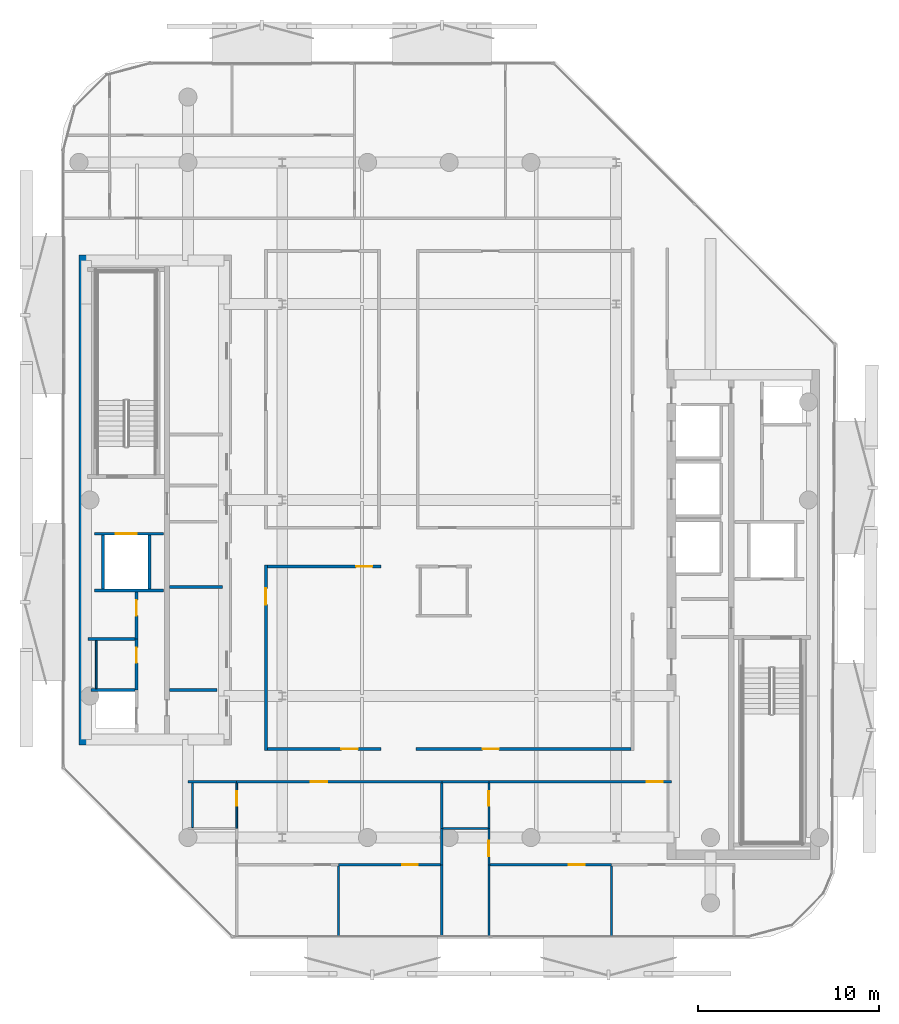
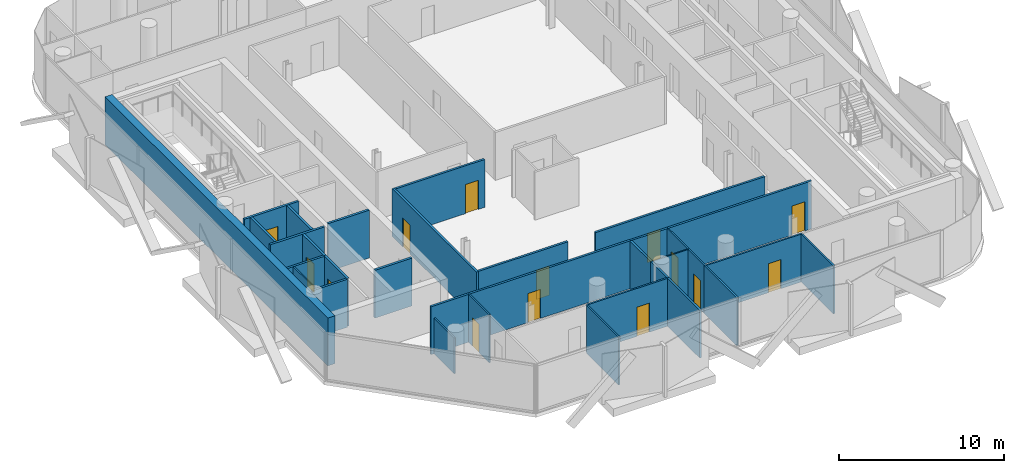
# One storey, part 4 of 16: 33 walls, 14 doors, 14 openings.
"""IFC4 building model written with IfcOpenShell, lengths in metres."""

from ifc_helpers import new_model, si_unit, direction, frame, frame_2d, origin, place, context, subcontext, project, spatial, rectangle, extrude, material, layer, layer_set, type_object, element, fill, save


model = new_model("IFC4")

# Units and contexts
model_context = context("Model", 3, precision=1e-05, world=origin(), true_north=direction((0.0, 1.0)))
body_context = subcontext(model_context, "Body", "Model", "MODEL_VIEW")
ifc_project = project(units=[si_unit("LENGTHUNIT", "METRE"), si_unit("AREAUNIT", "SQUARE_METRE"), si_unit("VOLUMEUNIT", "CUBIC_METRE"), si_unit("PLANEANGLEUNIT", "RADIAN"), si_unit("MASSUNIT", "GRAM", prefix="KILO")], contexts=[model_context])

# Site, building, storey
site_placement = place(None, origin())
site = spatial("IfcSite", under=ifc_project, at=site_placement, CompositionType="ELEMENT")
building_placement = place(site_placement, origin())
building = spatial("IfcBuilding", under=site, at=building_placement, Name="Khairoan Windgate Tower", CompositionType="ELEMENT")
storey_placement = place(building_placement, frame((0.0, 0.0, 311.800048828125)))
storey = spatial("IfcBuildingStorey", under=building, at=storey_placement, Name="L75", CompositionType="ELEMENT", Elevation=311.800048828125)

# Wall, opening, door
ifc_material_1 = material(Name="Moisture-Resistant Gypsum Partition", Category="gypsum")
ifc_layer_1 = layer(ifc_material_1, 0.10009765625, Name="Moisture-Resistant Gypsum Partition")
ifc_layer_set_1 = layer_set([ifc_layer_1], Name="Moisture-Resistant Gypsum Partition")
wall_type_1 = type_object("IfcWallType", Name="Bathroom Wet-Area Partition Wall", PredefinedType="PARTITIONING", material=ifc_layer_set_1)
wall_1_placement = place(storey_placement, frame((-11.7099609375, -18.10009765625, 0.0), z_axis=(0.0, 0.0, 1.0), x_axis=(0.0, 1.0, 0.0)))
wall_1 = element("IfcWall", 1, at=wall_1_placement, inside=storey, type_object=wall_type_1, Name="L75 Interior Partition 045", PredefinedType="PARTITIONING", context=body_context, shape_type="SweptSolid", body=[
    extrude(rectangle(XDim=2.5, YDim=0.10009765625, at=frame_2d((1.25, 0.0))), origin(), (0.0, 0.0, 1.0), 3.5400390625),
])
opening_1_placement = place(wall_1_placement, frame((1.239990234375, 0.0, 0.0)))
opening_1 = element("IfcOpeningElement", 2, at=opening_1_placement, cuts=wall_1, Name="Opening ID-BTH", PredefinedType="OPENING", context=body_context, shape_type="SweptSolid", body=[
    extrude(rectangle(XDim=0.800048828125, YDim=2.10009765625, at=frame_2d((0.39990234375, 1.050048828125))), frame((0.0, 0.06005859375, 0.0), z_axis=(0.0, -1.0, 0.0), x_axis=(1.0, 0.0, 0.0)), (0.0, 0.0, 1.0), 0.1201171875),
])
ifc_material_2 = material(Name="Teak Veneer Timber Leaf", Category="wood")
door_type_1 = type_object("IfcDoorType", Name="Internal Bathroom Door ID-BTH 800x2100", OperationType="NOTDEFINED", PredefinedType="DOOR", material=ifc_material_2)
door_1_placement = place(opening_1_placement, origin())
door_1 = element("IfcDoor", 3, at=door_1_placement, inside=storey, type_object=door_type_1, Name="L75 L75-39-L75-41 Door", OperationType="SINGLE_SWING_RIGHT", OverallHeight=2.10009765625, OverallWidth=0.800048828125, PredefinedType="DOOR", context=body_context, shape_type="SweptSolid", body=[
    extrude(rectangle(XDim=0.800048828125, YDim=2.10009765625, at=frame_2d((0.39990234375, 1.050048828125))), frame((0.0, 0.02490234375, 0.0), z_axis=(0.0, -1.0, 0.0), x_axis=(1.0, 0.0, 0.0)), (0.0, 0.0, 1.0), 0.050048828125),
])
fill(opening_1, door_1)

# Wall
wall_2_placement = place(storey_placement, frame((-0.330078125, -18.10009765625, 0.0), z_axis=(0.0, 0.0, 1.0), x_axis=(1.0, 0.0, 0.0)))
element("IfcWall", 4, at=wall_2_placement, inside=storey, type_object=wall_type_1, Name="L75 Interior Partition 054", PredefinedType="PARTITIONING", context=body_context, shape_type="SweptSolid", body=[
    extrude(rectangle(XDim=2.469970703125, YDim=0.10009765625, at=frame_2d((1.23486328125, 0.0))), origin(), (0.0, 0.0, 1.0), 3.5400390625),
])

# Wall, opening, door
wall_3_placement = place(storey_placement, frame((2.18994140625, -18.10009765625, 0.0), z_axis=(0.0, 0.0, 1.0), x_axis=(0.0, 1.0, 0.0)))
wall_3 = element("IfcWall", 5, at=wall_3_placement, inside=storey, type_object=wall_type_1, Name="L75 Interior Partition 055", PredefinedType="PARTITIONING", context=body_context, shape_type="SweptSolid", body=[
    extrude(rectangle(XDim=2.5, YDim=0.10009765625, at=frame_2d((1.25, 0.0))), origin(), (0.0, 0.0, 1.0), 3.5400390625),
])
opening_2_placement = place(wall_3_placement, frame((1.239990234375, 0.0, 0.0)))
opening_2 = element("IfcOpeningElement", 6, at=opening_2_placement, cuts=wall_3, Name="Opening ID-BTH", PredefinedType="OPENING", context=body_context, shape_type="SweptSolid", body=[
    extrude(rectangle(XDim=0.800048828125, YDim=2.10009765625, at=frame_2d((0.39990234375, 1.050048828125))), frame((0.0, 0.06005859375, 0.0), z_axis=(0.0, -1.0, 0.0), x_axis=(1.0, 0.0, 0.0)), (0.0, 0.0, 1.0), 0.1201171875),
])
door_2_placement = place(opening_2_placement, origin())
door_2 = element("IfcDoor", 7, at=door_2_placement, inside=storey, type_object=door_type_1, Name="L75 L75-44-L75-46 Door", OperationType="SINGLE_SWING_RIGHT", OverallHeight=2.10009765625, OverallWidth=0.800048828125, PredefinedType="DOOR", context=body_context, shape_type="SweptSolid", body=[
    extrude(rectangle(XDim=0.800048828125, YDim=2.10009765625, at=frame_2d((0.39990234375, 1.050048828125))), frame((0.0, 0.02490234375, 0.0), z_axis=(0.0, -1.0, 0.0), x_axis=(1.0, 0.0, 0.0)), (0.0, 0.0, 1.0), 0.050048828125),
])
fill(opening_2, door_2)

# Walls
wall_4_placement = place(storey_placement, frame((-19.449951171875, -10.389892578125, 0.0), z_axis=(0.0, 0.0, 1.0), x_axis=(0.0, 1.0, 0.0)))
element("IfcWall", 8, at=wall_4_placement, inside=storey, type_object=wall_type_1, Name="L75 Wet Room Side Wall 063", PredefinedType="PARTITIONING", context=body_context, shape_type="SweptSolid", body=[
    extrude(rectangle(XDim=2.639892578125, YDim=0.10009765625, at=frame_2d((1.31982421875, 0.0))), origin(), (0.0, 0.0, 1.0), 3.5400390625),
])
wall_5_placement = place(storey_placement, frame((-14.139892578125, -18.050048828125, 0.0), z_axis=(0.0, 0.0, 1.0), x_axis=(0.0, 1.0, 0.0)))
element("IfcWall", 9, at=wall_5_placement, inside=storey, type_object=wall_type_1, Name="L75 Wet Room Side Wall 064", PredefinedType="PARTITIONING", context=body_context, shape_type="SweptSolid", body=[
    extrude(rectangle(XDim=2.449951171875, YDim=0.10009765625, at=frame_2d((1.22509765625, 0.0))), origin(), (0.0, 0.0, 1.0), 2.639892578125),
])

# Wall, opening, door
ifc_material_3 = material(Name="Concrete C40/50", Category="concrete")
ifc_layer_2 = layer(ifc_material_3, 0.159912109375, Name="Concrete C40/50")
ifc_layer_set_2 = layer_set([ifc_layer_2], Name="Concrete C40/50")
wall_type_2 = type_object("IfcWallType", Name="Core and Hoistway Enclosure Wall", PredefinedType="STANDARD", material=ifc_layer_set_2)
wall_6_placement = place(storey_placement, frame((-19.550048828125, -1.860107421875, 0.0), z_axis=(0.0, 0.0, 1.0), x_axis=(1.0, 0.0, 0.0)))
wall_6 = element("IfcWall", 10, at=wall_6_placement, inside=storey, type_object=wall_type_2, Name="L75 Core Shaft Wall SW-FL2-L75", PredefinedType="STANDARD", context=body_context, shape_type="SweptSolid", body=[
    extrude(rectangle(XDim=3.800048828125, YDim=0.159912109375, at=frame_2d((1.89990234375, 0.0))), origin(), (0.0, 0.0, 1.0), 3.5400390625),
])
opening_3_placement = place(wall_6_placement, frame((1.179931640625, 0.0, 0.0)))
opening_3 = element("IfcOpeningElement", 11, at=opening_3_placement, cuts=wall_6, Name="Opening LD-FL", PredefinedType="OPENING", context=body_context, shape_type="SweptSolid", body=[
    extrude(rectangle(XDim=1.14990234375, YDim=2.199951171875, at=frame_2d((0.574951171875, 1.10009765625))), frame((0.0, 0.08984375, 0.0), z_axis=(0.0, -1.0, 0.0), x_axis=(1.0, 0.0, 0.0)), (0.0, 0.0, 1.0), 0.179931640625),
])
ifc_material_4 = material(Name="Steel S355", Category="steel")
door_type_2 = type_object("IfcDoorType", Name="Firefighting Lift Sliding Landing Door LD-FL 1150x2200", OperationType="DOUBLE_DOOR_SLIDING", PredefinedType="DOOR", material=ifc_material_4)
door_3_placement = place(opening_3_placement, origin())
door_3 = element("IfcDoor", 12, at=door_3_placement, inside=storey, type_object=door_type_2, Name="L75 Firefighting Lift FL2 Landing Door", OperationType="DOUBLE_DOOR_SLIDING", OverallHeight=2.199951171875, OverallWidth=1.14990234375, PredefinedType="DOOR", context=body_context, shape_type="SweptSolid", body=[
    extrude(rectangle(XDim=1.14990234375, YDim=2.199951171875, at=frame_2d((0.574951171875, 1.10009765625))), frame((0.0, 0.02490234375, 0.0), z_axis=(0.0, -1.0, 0.0), x_axis=(1.0, 0.0, 0.0)), (0.0, 0.0, 1.0), 0.050048828125),
])
fill(opening_3, door_3)

# Walls
wall_7_placement = place(storey_placement, frame((-19.550048828125, -4.97998046875, 0.0), z_axis=(0.0, 0.0, 1.0), x_axis=(1.0, 0.0, 0.0)))
element("IfcWall", 13, at=wall_7_placement, inside=storey, type_object=wall_type_2, Name="L75 Core Shaft Wall SW-FL2B-L75", PredefinedType="STANDARD", context=body_context, shape_type="SweptSolid", body=[
    extrude(rectangle(XDim=3.800048828125, YDim=0.159912109375, at=frame_2d((1.89990234375, 0.0))), origin(), (0.0, 0.0, 1.0), 3.5400390625),
])
for number, where, z_axis, x_axis, name in (
    (14, (-19.080078125, -4.89990234375, 0.0), (0.0, 0.0, 1.0), (0.0, 1.0, 0.0), "L75 Core Shaft Wall SW-FL2W-L75"),
    (15, (-16.52001953125, -4.89990234375, 0.0), (0.0, 0.0, 1.0), (0.0, 1.0, 0.0), "L75 Core Shaft Wall SW-FL2E-L75"),
):
    element("IfcWall", number, at=place(storey_placement, frame(where, z_axis=z_axis, x_axis=x_axis)), inside=storey, type_object=wall_type_2, Name=name, PredefinedType="STANDARD", context=body_context, shape_type="SweptSolid", body=[
        extrude(rectangle(XDim=2.9599609375, YDim=0.159912109375, at=frame_2d((1.47998046875, 0.0))), origin(), (0.0, 0.0, 1.0), 3.5400390625),
    ])
wall_8_placement = place(storey_placement, frame((-15.39990234375, -10.47998046875, 0.0), z_axis=(0.0, 0.0, 1.0), x_axis=(1.0, 0.0, 0.0)))
element("IfcWall", 16, at=wall_8_placement, inside=storey, type_object=wall_type_2, Name="L75 Core Shaft Wall SW-WSV-L75", PredefinedType="STANDARD", context=body_context, shape_type="SweptSolid", body=[
    extrude(rectangle(XDim=2.599853515625, YDim=0.159912109375, at=frame_2d((1.2998046875, 0.0))), origin(), (0.0, 0.0, 1.0), 3.5400390625),
])
ifc_material_5 = material(Name="Acoustic Fire-Rated Gypsum Partition", Category="gypsum")
ifc_layer_3 = layer(ifc_material_5, 0.139892578125, Name="Acoustic Fire-Rated Gypsum Partition")
ifc_layer_set_3 = layer_set([ifc_layer_3], Name="Acoustic Fire-Rated Gypsum Partition")
wall_type_3 = type_object("IfcWallType", Name="Inter-Tenancy Compartment Wall", PredefinedType="PARTITIONING", material=ifc_layer_set_3)
wall_9_placement = place(storey_placement, frame((-0.39990234375, -18.10009765625, 0.0), z_axis=(0.0, 0.0, 1.0), x_axis=(0.0, 1.0, 0.0)))
element("IfcWall", 17, at=wall_9_placement, inside=storey, type_object=wall_type_3, Name="L75 Interior Partition 050", PredefinedType="PARTITIONING", context=body_context, shape_type="SweptSolid", body=[
    extrude(rectangle(XDim=2.5, YDim=0.139892578125, at=frame_2d((1.25, 0.0))), origin(), (0.0, 0.0, 1.0), 3.5400390625),
])
wall_10_placement = place(storey_placement, frame((-0.39990234375, -20.10009765625, 0.0), z_axis=(0.0, 0.0, 1.0), x_axis=(0.0, 1.0, 0.0)))
element("IfcWall", 18, at=wall_10_placement, inside=storey, type_object=wall_type_3, Name="L75 Interior Partition 051", PredefinedType="PARTITIONING", context=body_context, shape_type="SweptSolid", body=[
    extrude(rectangle(XDim=2.0, YDim=0.139892578125, at=frame_2d((1.0, 0.0))), origin(), (0.0, 0.0, 1.0), 3.5400390625),
])
wall_11_placement = place(storey_placement, frame((-0.39990234375, -24.054931640625, 0.0), z_axis=(0.0, 0.0, 1.0), x_axis=(0.0, 1.0, 0.0)))
element("IfcWall", 19, at=wall_11_placement, inside=storey, type_object=wall_type_3, Name="L75 Interior Partition 053", PredefinedType="PARTITIONING", context=body_context, shape_type="SweptSolid", body=[
    extrude(rectangle(XDim=3.954833984375, YDim=0.139892578125, at=frame_2d((1.9775390625, 0.0))), origin(), (0.0, 0.0, 1.0), 3.5400390625),
])

# Wall, opening, door
ifc_material_6 = material(Name="Gypsum Stud Partition", Category="gypsum")
ifc_layer_4 = layer(ifc_material_6, 0.1201171875, Name="Gypsum Stud Partition")
ifc_layer_set_4 = layer_set([ifc_layer_4], Name="Gypsum Stud Partition")
wall_type_4 = type_object("IfcWallType", Name="Internal Room Partition Wall", PredefinedType="PARTITIONING", material=ifc_layer_set_4)
wall_12_placement = place(storey_placement, frame((-6.094970703125, -20.10009765625, 0.0), z_axis=(0.0, 0.0, 1.0), x_axis=(1.0, 0.0, 0.0)))
wall_12 = element("IfcWall", 20, at=wall_12_placement, inside=storey, type_object=wall_type_4, Name="L75 Interior Partition 049", PredefinedType="PARTITIONING", context=body_context, shape_type="SweptSolid", body=[
    extrude(rectangle(XDim=5.625, YDim=0.1201171875, at=frame_2d((2.8125, 0.0))), origin(), (0.0, 0.0, 1.0), 3.5400390625),
])
opening_4_placement = place(wall_12_placement, frame((3.49560546875, 0.0, 0.0)))
opening_4 = element("IfcOpeningElement", 21, at=opening_4_placement, cuts=wall_12, Name="Opening ID-RM", PredefinedType="OPENING", context=body_context, shape_type="SweptSolid", body=[
    extrude(rectangle(XDim=0.860107421875, YDim=2.14990234375, at=frame_2d((0.43017578125, 1.074951171875))), frame((0.0, 0.070068359375, 0.0), z_axis=(0.0, -1.0, 0.0), x_axis=(1.0, 0.0, 0.0)), (0.0, 0.0, 1.0), 0.14013671875),
])
ifc_material_7 = material(Name="Teak Veneer Timber Leaf", Category="wood")
door_type_3 = type_object("IfcDoorType", Name="Internal Bedroom and Office Door ID-RM 860x2150", OperationType="NOTDEFINED", PredefinedType="DOOR", material=ifc_material_7)
door_4_placement = place(opening_4_placement, origin())
door_4 = element("IfcDoor", 22, at=door_4_placement, inside=storey, type_object=door_type_3, Name="L75 L75-41-L75-43 Door", OperationType="SINGLE_SWING_LEFT", OverallHeight=2.14990234375, OverallWidth=0.860107421875, PredefinedType="DOOR", context=body_context, shape_type="SweptSolid", body=[
    extrude(rectangle(XDim=0.860107421875, YDim=2.14990234375, at=frame_2d((0.43017578125, 1.074951171875))), frame((0.0, 0.02490234375, 0.0), z_axis=(0.0, -1.0, 0.0), x_axis=(1.0, 0.0, 0.0)), (0.0, 0.0, 1.0), 0.050048828125),
])
fill(opening_4, door_4)

# Wall
wall_13_placement = place(storey_placement, frame((-6.094970703125, -24.054931640625, 0.0), z_axis=(0.0, 0.0, 1.0), x_axis=(0.0, 1.0, 0.0)))
element("IfcWall", 23, at=wall_13_placement, inside=storey, type_object=wall_type_4, Name="L75 Interior Partition 052", PredefinedType="PARTITIONING", context=body_context, shape_type="SweptSolid", body=[
    extrude(rectangle(XDim=3.89501953125, YDim=0.1201171875, at=frame_2d((1.947509765625, 0.0))), origin(), (0.0, 0.0, 1.0), 3.5400390625),
])

# Wall, opening, door
wall_14_placement = place(storey_placement, frame((2.18994140625, -20.10009765625, 0.0), z_axis=(0.0, 0.0, 1.0), x_axis=(0.0, 1.0, 0.0)))
wall_14 = element("IfcWall", 24, at=wall_14_placement, inside=storey, type_object=wall_type_4, Name="L75 Interior Partition 056", PredefinedType="PARTITIONING", context=body_context, shape_type="SweptSolid", body=[
    extrude(rectangle(XDim=2.0, YDim=0.1201171875, at=frame_2d((1.0, 0.0))), origin(), (0.0, 0.0, 1.0), 3.5400390625),
])
opening_5_placement = place(wall_14_placement, frame((0.4599609375, 0.0, 0.0)))
opening_5 = element("IfcOpeningElement", 25, at=opening_5_placement, cuts=wall_14, Name="Opening ID-RM", PredefinedType="OPENING", context=body_context, shape_type="SweptSolid", body=[
    extrude(rectangle(XDim=0.860107421875, YDim=2.14990234375, at=frame_2d((0.43017578125, 1.074951171875))), frame((0.0, 0.070068359375, 0.0), z_axis=(0.0, -1.0, 0.0), x_axis=(1.0, 0.0, 0.0)), (0.0, 0.0, 1.0), 0.14013671875),
])
door_5_placement = place(opening_5_placement, origin())
door_5 = element("IfcDoor", 26, at=door_5_placement, inside=storey, type_object=door_type_3, Name="L75 L75-45-L75-46 Door", OperationType="SINGLE_SWING_LEFT", OverallHeight=2.14990234375, OverallWidth=0.860107421875, PredefinedType="DOOR", context=body_context, shape_type="SweptSolid", body=[
    extrude(rectangle(XDim=0.860107421875, YDim=2.14990234375, at=frame_2d((0.43017578125, 1.074951171875))), frame((0.0, 0.02490234375, 0.0), z_axis=(0.0, -1.0, 0.0), x_axis=(1.0, 0.0, 0.0)), (0.0, 0.0, 1.0), 0.050048828125),
])
fill(opening_5, door_5)

# Wall
wall_15_placement = place(storey_placement, frame((2.18994140625, -24.054931640625, 0.0), z_axis=(0.0, 0.0, 1.0), x_axis=(0.0, 1.0, 0.0)))
element("IfcWall", 27, at=wall_15_placement, inside=storey, type_object=wall_type_4, Name="L75 Interior Partition 057", PredefinedType="PARTITIONING", context=body_context, shape_type="SweptSolid", body=[
    extrude(rectangle(XDim=3.954833984375, YDim=0.1201171875, at=frame_2d((1.9775390625, 0.0))), origin(), (0.0, 0.0, 1.0), 3.5400390625),
])

# Wall, opening, door
wall_16_placement = place(storey_placement, frame((2.25, -20.10009765625, 0.0), z_axis=(0.0, 0.0, 1.0), x_axis=(1.0, 0.0, 0.0)))
wall_16 = element("IfcWall", 28, at=wall_16_placement, inside=storey, type_object=wall_type_4, Name="L75 Interior Partition 058", PredefinedType="PARTITIONING", context=body_context, shape_type="SweptSolid", body=[
    extrude(rectangle(XDim=6.68994140625, YDim=0.1201171875, at=frame_2d((3.344970703125, 0.0))), origin(), (0.0, 0.0, 1.0), 3.5400390625),
])
opening_6_placement = place(wall_16_placement, frame((4.34716796875, 0.0, 0.0)))
opening_6 = element("IfcOpeningElement", 29, at=opening_6_placement, cuts=wall_16, Name="Opening ID-RM", PredefinedType="OPENING", context=body_context, shape_type="SweptSolid", body=[
    extrude(rectangle(XDim=0.860107421875, YDim=2.14990234375, at=frame_2d((0.43017578125, 1.074951171875))), frame((0.0, 0.070068359375, 0.0), z_axis=(0.0, -1.0, 0.0), x_axis=(1.0, 0.0, 0.0)), (0.0, 0.0, 1.0), 0.14013671875),
])
door_6_placement = place(opening_6_placement, origin())
door_6 = element("IfcDoor", 30, at=door_6_placement, inside=storey, type_object=door_type_3, Name="L75 L75-46-L75-48 Door", OperationType="SINGLE_SWING_RIGHT", OverallHeight=2.14990234375, OverallWidth=0.860107421875, PredefinedType="DOOR", context=body_context, shape_type="SweptSolid", body=[
    extrude(rectangle(XDim=0.860107421875, YDim=2.14990234375, at=frame_2d((0.43017578125, 1.074951171875))), frame((0.0, 0.02490234375, 0.0), z_axis=(0.0, -1.0, 0.0), x_axis=(1.0, 0.0, 0.0)), (0.0, 0.0, 1.0), 0.050048828125),
])
fill(opening_6, door_6)

# Wall
wall_17_placement = place(storey_placement, frame((8.93994140625, -24.054931640625, 0.0), z_axis=(0.0, 0.0, 1.0), x_axis=(0.0, 1.0, 0.0)))
element("IfcWall", 31, at=wall_17_placement, inside=storey, type_object=wall_type_4, Name="L75 Interior Partition 061", PredefinedType="PARTITIONING", context=body_context, shape_type="SweptSolid", body=[
    extrude(rectangle(XDim=3.89501953125, YDim=0.1201171875, at=frame_2d((1.947509765625, 0.0))), origin(), (0.0, 0.0, 1.0), 3.5400390625),
])

# Wall, opening, door
ifc_material_8 = material(Name="Concrete C40/50", Category="concrete")
ifc_layer_5 = layer(ifc_material_8, 0.159912109375, Name="Concrete C40/50")
ifc_layer_set_5 = layer_set([ifc_layer_5], Name="Concrete C40/50")
wall_type_5 = type_object("IfcWallType", Name="Plant and Refuge Compartment Wall", PredefinedType="PARTITIONING", material=ifc_layer_set_5)
wall_18_placement = place(storey_placement, frame((-17.22998046875, -10.469970703125, 0.0), z_axis=(0.0, 0.0, 1.0), x_axis=(0.0, 1.0, 0.0)))
wall_18 = element("IfcWall", 32, at=wall_18_placement, inside=storey, type_object=wall_type_5, Name="L75 Interior Partition 002", PredefinedType="PARTITIONING", context=body_context, shape_type="SweptSolid", body=[
    extrude(rectangle(XDim=2.800048828125, YDim=0.159912109375, at=frame_2d((1.39990234375, 0.0))), origin(), (0.0, 0.0, 1.0), 3.5400390625),
])
opening_7_placement = place(wall_18_placement, frame((1.489990234375, 0.0, 0.0)))
opening_7 = element("IfcOpeningElement", 33, at=opening_7_placement, cuts=wall_18, Name="Opening FD-SRV", PredefinedType="OPENING", context=body_context, shape_type="SweptSolid", body=[
    extrude(rectangle(XDim=0.85009765625, YDim=2.10009765625, at=frame_2d((0.425048828125, 1.050048828125))), frame((0.0, 0.08984375, 0.0), z_axis=(0.0, -1.0, 0.0), x_axis=(1.0, 0.0, 0.0)), (0.0, 0.0, 1.0), 0.179931640625),
])
ifc_material_9 = material(Name="Steel S355", Category="steel")
door_type_4 = type_object("IfcDoorType", Name="Core Service and Riser Fire Door FD-SRV 850x2100", OperationType="NOTDEFINED", PredefinedType="DOOR", material=ifc_material_9)
door_7_placement = place(opening_7_placement, origin())
door_7 = element("IfcDoor", 34, at=door_7_placement, inside=storey, type_object=door_type_4, Name="L75 L75-04-L75-06 Door", OperationType="SINGLE_SWING_LEFT", OverallHeight=2.10009765625, OverallWidth=0.85009765625, PredefinedType="DOOR", context=body_context, shape_type="SweptSolid", body=[
    extrude(rectangle(XDim=0.85009765625, YDim=2.10009765625, at=frame_2d((0.425048828125, 1.050048828125))), frame((0.0, 0.02490234375, 0.0), z_axis=(0.0, -1.0, 0.0), x_axis=(1.0, 0.0, 0.0)), (0.0, 0.0, 1.0), 0.050048828125),
])
fill(opening_7, door_7)

wall_19_placement = place(storey_placement, frame((-17.22998046875, -7.669921875, 0.0), z_axis=(0.0, 0.0, 1.0), x_axis=(0.0, 1.0, 0.0)))
wall_19 = element("IfcWall", 35, at=wall_19_placement, inside=storey, type_object=wall_type_5, Name="L75 Interior Partition 003", PredefinedType="PARTITIONING", context=body_context, shape_type="SweptSolid", body=[
    extrude(rectangle(XDim=2.60986328125, YDim=0.159912109375, at=frame_2d((1.304931640625, 0.0))), origin(), (0.0, 0.0, 1.0), 3.5400390625),
])
opening_8_placement = place(wall_19_placement, frame((1.300048828125, 0.0, 0.0)))
opening_8 = element("IfcOpeningElement", 36, at=opening_8_placement, cuts=wall_19, Name="Opening FD-SRV", PredefinedType="OPENING", context=body_context, shape_type="SweptSolid", body=[
    extrude(rectangle(XDim=0.85009765625, YDim=2.10009765625, at=frame_2d((0.425048828125, 1.050048828125))), frame((0.0, 0.08984375, 0.0), z_axis=(0.0, -1.0, 0.0), x_axis=(1.0, 0.0, 0.0)), (0.0, 0.0, 1.0), 0.179931640625),
])
door_8_placement = place(opening_8_placement, origin())
door_8 = element("IfcDoor", 37, at=door_8_placement, inside=storey, type_object=door_type_4, Name="L75 L75-04-L75-07 Door", OperationType="SINGLE_SWING_RIGHT", OverallHeight=2.10009765625, OverallWidth=0.85009765625, PredefinedType="DOOR", context=body_context, shape_type="SweptSolid", body=[
    extrude(rectangle(XDim=0.85009765625, YDim=2.10009765625, at=frame_2d((0.425048828125, 1.050048828125))), frame((0.0, 0.02490234375, 0.0), z_axis=(0.0, -1.0, 0.0), x_axis=(1.0, 0.0, 0.0)), (0.0, 0.0, 1.0), 0.050048828125),
])
fill(opening_8, door_8)

# Walls
wall_20_placement = place(storey_placement, frame((-19.75, -10.469970703125, 0.0), z_axis=(0.0, 0.0, 1.0), x_axis=(1.0, 0.0, 0.0)))
element("IfcWall", 38, at=wall_20_placement, inside=storey, type_object=wall_type_5, Name="L75 Interior Partition 004", PredefinedType="PARTITIONING", context=body_context, shape_type="SweptSolid", body=[
    extrude(rectangle(XDim=2.43994140625, YDim=0.159912109375, at=frame_2d((1.219970703125, 0.0))), origin(), (0.0, 0.0, 1.0), 3.5400390625),
])
wall_21_placement = place(storey_placement, frame((-19.89990234375, -7.669921875, 0.0), z_axis=(0.0, 0.0, 1.0), x_axis=(1.0, 0.0, 0.0)))
element("IfcWall", 39, at=wall_21_placement, inside=storey, type_object=wall_type_5, Name="L75 Interior Partition 005", PredefinedType="PARTITIONING", context=body_context, shape_type="SweptSolid", body=[
    extrude(rectangle(XDim=2.58984375, YDim=0.159912109375, at=frame_2d((1.294921875, 0.0))), origin(), (0.0, 0.0, 1.0), 3.5400390625),
])
wall_22_placement = place(storey_placement, frame((-15.39990234375, -4.800048828125, 0.0), z_axis=(0.0, 0.0, 1.0), x_axis=(1.0, 0.0, 0.0)))
element("IfcWall", 40, at=wall_22_placement, inside=storey, type_object=wall_type_5, Name="L75 Interior Partition 007", PredefinedType="PARTITIONING", context=body_context, shape_type="SweptSolid", body=[
    extrude(rectangle(XDim=2.89990234375, YDim=0.159912109375, at=frame_2d((1.449951171875, 0.0))), origin(), (0.0, 0.0, 1.0), 3.5400390625),
])

# Wall, opening, door
ifc_material_10 = material(Name="Acoustic Fire-Rated Gypsum Partition", Category="gypsum")
ifc_layer_6 = layer(ifc_material_10, 0.14990234375, Name="Acoustic Fire-Rated Gypsum Partition")
ifc_layer_set_6 = layer_set([ifc_layer_6], Name="Acoustic Fire-Rated Gypsum Partition")
wall_type_6 = type_object("IfcWallType", Name="Rated Corridor Partition Wall", PredefinedType="PARTITIONING", material=ifc_layer_set_6)
wall_23_placement = place(storey_placement, frame((-10.10009765625, -13.794921875, 0.0), z_axis=(0.0, 0.0, 1.0), x_axis=(0.0, 1.0, 0.0)))
wall_23 = element("IfcWall", 41, at=wall_23_placement, inside=storey, type_object=wall_type_6, Name="L75 Interior Partition 012", PredefinedType="PARTITIONING", context=body_context, shape_type="SweptSolid", body=[
    extrude(rectangle(XDim=10.204833984375, YDim=0.14990234375, at=frame_2d((5.1025390625, 0.0))), origin(), (0.0, 0.0, 1.0), 3.5400390625),
])
opening_9_placement = place(wall_23_placement, frame((8.027099609375, 0.0, 0.0)))
opening_9 = element("IfcOpeningElement", 42, at=opening_9_placement, cuts=wall_23, Name="Opening FD-ENT", PredefinedType="OPENING", context=body_context, shape_type="SweptSolid", body=[
    extrude(rectangle(XDim=0.89990234375, YDim=2.14990234375, at=frame_2d((0.449951171875, 1.074951171875))), frame((0.0, 0.0849609375, 0.0), z_axis=(0.0, -1.0, 0.0), x_axis=(1.0, 0.0, 0.0)), (0.0, 0.0, 1.0), 0.169921875),
])
ifc_material_11 = material(Name="Timber Fire-Rated Core", Category="wood")
door_type_5 = type_object("IfcDoorType", Name="Unit and Office Fire Entrance Door FD-ENT 900x2150", OperationType="NOTDEFINED", PredefinedType="DOOR", material=ifc_material_11)
door_9_placement = place(opening_9_placement, origin())
door_9 = element("IfcDoor", 43, at=door_9_placement, inside=storey, type_object=door_type_5, Name="L75 L75-26-L75-52 Door", OperationType="SINGLE_SWING_RIGHT", OverallHeight=2.14990234375, OverallWidth=0.89990234375, PredefinedType="DOOR", context=body_context, shape_type="SweptSolid", body=[
    extrude(rectangle(XDim=0.89990234375, YDim=2.14990234375, at=frame_2d((0.449951171875, 1.074951171875))), frame((0.0, 0.02490234375, 0.0), z_axis=(0.0, -1.0, 0.0), x_axis=(1.0, 0.0, 0.0)), (0.0, 0.0, 1.0), 0.050048828125),
])
fill(opening_9, door_9)

wall_24_placement = place(storey_placement, frame((-10.02490234375, -3.6650390625, 0.0), z_axis=(0.0, 0.0, 1.0), x_axis=(1.0, 0.0, 0.0)))
wall_24 = element("IfcWall", 44, at=wall_24_placement, inside=storey, type_object=wall_type_6, Name="L75 Interior Partition 017", PredefinedType="PARTITIONING", context=body_context, shape_type="SweptSolid", body=[
    extrude(rectangle(XDim=6.2548828125, YDim=0.14990234375, at=frame_2d((3.12744140625, 0.0))), origin(), (0.0, 0.0, 1.0), 3.5400390625),
])
opening_10_placement = place(wall_24_placement, frame((4.89501953125, 0.0, 0.0)))
opening_10 = element("IfcOpeningElement", 45, at=opening_10_placement, cuts=wall_24, Name="Opening FD-ENT", PredefinedType="OPENING", context=body_context, shape_type="SweptSolid", body=[
    extrude(rectangle(XDim=0.89990234375, YDim=2.14990234375, at=frame_2d((0.449951171875, 1.074951171875))), frame((0.0, 0.0849609375, 0.0), z_axis=(0.0, -1.0, 0.0), x_axis=(1.0, 0.0, 0.0)), (0.0, 0.0, 1.0), 0.169921875),
])
door_10_placement = place(opening_10_placement, origin())
door_10 = element("IfcDoor", 46, at=door_10_placement, inside=storey, type_object=door_type_5, Name="L75 L75-28-L75-52 Door", OperationType="SINGLE_SWING_LEFT", OverallHeight=2.14990234375, OverallWidth=0.89990234375, PredefinedType="DOOR", context=body_context, shape_type="SweptSolid", body=[
    extrude(rectangle(XDim=0.89990234375, YDim=2.14990234375, at=frame_2d((0.449951171875, 1.074951171875))), frame((0.0, 0.02490234375, 0.0), z_axis=(0.0, -1.0, 0.0), x_axis=(1.0, 0.0, 0.0)), (0.0, 0.0, 1.0), 0.050048828125),
])
fill(opening_10, door_10)

# Wall
wall_25_placement = place(storey_placement, frame((-14.3798828125, -15.52490234375, 0.0), z_axis=(0.0, 0.0, 1.0), x_axis=(1.0, 0.0, 0.0)))
element("IfcWall", 47, at=wall_25_placement, inside=storey, type_object=wall_type_6, Name="L75 Interior Partition 028", PredefinedType="PARTITIONING", context=body_context, shape_type="SweptSolid", body=[
    extrude(rectangle(XDim=2.669921875, YDim=0.14990234375, at=frame_2d((1.3349609375, 0.0))), origin(), (0.0, 0.0, 1.0), 3.5400390625),
])

# Wall, opening, door
wall_26_placement = place(storey_placement, frame((-11.7099609375, -15.52490234375, 0.0), z_axis=(0.0, 0.0, 1.0), x_axis=(1.0, 0.0, 0.0)))
wall_26 = element("IfcWall", 48, at=wall_26_placement, inside=storey, type_object=wall_type_6, Name="L75 Interior Partition 029", PredefinedType="PARTITIONING", context=body_context, shape_type="SweptSolid", body=[
    extrude(rectangle(XDim=11.31005859375, YDim=0.14990234375, at=frame_2d((5.655029296875, 0.0))), origin(), (0.0, 0.0, 1.0), 3.5400390625),
])
opening_11_placement = place(wall_26_placement, frame((4.094482421875, 0.0, 0.0)))
opening_11 = element("IfcOpeningElement", 49, at=opening_11_placement, cuts=wall_26, Name="Opening FD-ENT", PredefinedType="OPENING", context=body_context, shape_type="SweptSolid", body=[
    extrude(rectangle(XDim=0.89990234375, YDim=2.14990234375, at=frame_2d((0.449951171875, 1.074951171875))), frame((0.0, 0.0849609375, 0.0), z_axis=(0.0, -1.0, 0.0), x_axis=(1.0, 0.0, 0.0)), (0.0, 0.0, 1.0), 0.169921875),
])
door_11_placement = place(opening_11_placement, origin())
door_11 = element("IfcDoor", 50, at=door_11_placement, inside=storey, type_object=door_type_5, Name="L75 L75-31-L75-41 Door", OperationType="SINGLE_SWING_LEFT", OverallHeight=2.14990234375, OverallWidth=0.89990234375, PredefinedType="DOOR", context=body_context, shape_type="SweptSolid", body=[
    extrude(rectangle(XDim=0.89990234375, YDim=2.14990234375, at=frame_2d((0.449951171875, 1.074951171875))), frame((0.0, 0.02490234375, 0.0), z_axis=(0.0, -1.0, 0.0), x_axis=(1.0, 0.0, 0.0)), (0.0, 0.0, 1.0), 0.050048828125),
])
fill(opening_11, door_11)

# Wall
wall_27_placement = place(storey_placement, frame((-0.39990234375, -15.52490234375, 0.0), z_axis=(0.0, 0.0, 1.0), x_axis=(1.0, 0.0, 0.0)))
element("IfcWall", 51, at=wall_27_placement, inside=storey, type_object=wall_type_6, Name="L75 Interior Partition 030", PredefinedType="PARTITIONING", context=body_context, shape_type="SweptSolid", body=[
    extrude(rectangle(XDim=2.58984375, YDim=0.14990234375, at=frame_2d((1.294921875, 0.0))), origin(), (0.0, 0.0, 1.0), 3.5400390625),
])

# Wall, opening, door
wall_28_placement = place(storey_placement, frame((2.18994140625, -15.52490234375, 0.0), z_axis=(0.0, 0.0, 1.0), x_axis=(1.0, 0.0, 0.0)))
wall_28 = element("IfcWall", 52, at=wall_28_placement, inside=storey, type_object=wall_type_6, Name="L75 Interior Partition 031", PredefinedType="PARTITIONING", context=body_context, shape_type="SweptSolid", body=[
    extrude(rectangle(XDim=10.050048828125, YDim=0.14990234375, at=frame_2d((5.02490234375, 0.0))), origin(), (0.0, 0.0, 1.0), 3.5400390625),
])
opening_12_placement = place(wall_28_placement, frame((8.68994140625, 0.0, 0.0)))
opening_12 = element("IfcOpeningElement", 53, at=opening_12_placement, cuts=wall_28, Name="Opening FD-ENT", PredefinedType="OPENING", context=body_context, shape_type="SweptSolid", body=[
    extrude(rectangle(XDim=0.89990234375, YDim=2.14990234375, at=frame_2d((0.449951171875, 1.074951171875))), frame((0.0, 0.0849609375, 0.0), z_axis=(0.0, -1.0, 0.0), x_axis=(1.0, 0.0, 0.0)), (0.0, 0.0, 1.0), 0.169921875),
])
door_12_placement = place(opening_12_placement, origin())
door_12 = element("IfcDoor", 54, at=door_12_placement, inside=storey, type_object=door_type_5, Name="L75 L75-31-L75-46 Door", OperationType="SINGLE_SWING_RIGHT", OverallHeight=2.14990234375, OverallWidth=0.89990234375, PredefinedType="DOOR", context=body_context, shape_type="SweptSolid", body=[
    extrude(rectangle(XDim=0.89990234375, YDim=2.14990234375, at=frame_2d((0.449951171875, 1.074951171875))), frame((0.0, 0.02490234375, 0.0), z_axis=(0.0, -1.0, 0.0), x_axis=(1.0, 0.0, 0.0)), (0.0, 0.0, 1.0), 0.050048828125),
])
fill(opening_12, door_12)

wall_29_placement = place(storey_placement, frame((-10.02490234375, -13.719970703125, 0.0), z_axis=(0.0, 0.0, 1.0), x_axis=(1.0, 0.0, 0.0)))
wall_29 = element("IfcWall", 55, at=wall_29_placement, inside=storey, type_object=wall_type_6, Name="L75 Interior Partition 032", PredefinedType="PARTITIONING", context=body_context, shape_type="SweptSolid", body=[
    extrude(rectangle(XDim=6.2548828125, YDim=0.14990234375, at=frame_2d((3.12744140625, 0.0))), origin(), (0.0, 0.0, 1.0), 3.5400390625),
])
opening_13_placement = place(wall_29_placement, frame((4.088623046875, 0.0, 0.0)))
opening_13 = element("IfcOpeningElement", 56, at=opening_13_placement, cuts=wall_29, Name="Opening FD-ENT", PredefinedType="OPENING", context=body_context, shape_type="SweptSolid", body=[
    extrude(rectangle(XDim=0.89990234375, YDim=2.14990234375, at=frame_2d((0.449951171875, 1.074951171875))), frame((0.0, 0.0849609375, 0.0), z_axis=(0.0, -1.0, 0.0), x_axis=(1.0, 0.0, 0.0)), (0.0, 0.0, 1.0), 0.169921875),
])
door_13_placement = place(opening_13_placement, origin())
door_13 = element("IfcDoor", 57, at=door_13_placement, inside=storey, type_object=door_type_5, Name="L75 L75-31-L75-52 Door", OperationType="SINGLE_SWING_LEFT", OverallHeight=2.14990234375, OverallWidth=0.89990234375, PredefinedType="DOOR", context=body_context, shape_type="SweptSolid", body=[
    extrude(rectangle(XDim=0.89990234375, YDim=2.14990234375, at=frame_2d((0.449951171875, 1.074951171875))), frame((0.0, 0.02490234375, 0.0), z_axis=(0.0, -1.0, 0.0), x_axis=(1.0, 0.0, 0.0)), (0.0, 0.0, 1.0), 0.050048828125),
])
fill(opening_13, door_13)

wall_30_placement = place(storey_placement, frame((-1.830078125, -13.719970703125, 0.0), z_axis=(0.0, 0.0, 1.0), x_axis=(1.0, 0.0, 0.0)))
wall_30 = element("IfcWall", 58, at=wall_30_placement, inside=storey, type_object=wall_type_6, Name="L75 Interior Partition 033", PredefinedType="PARTITIONING", context=body_context, shape_type="SweptSolid", body=[
    extrude(rectangle(XDim=11.85498046875, YDim=0.14990234375, at=frame_2d((5.927490234375, 0.0))), origin(), (0.0, 0.0, 1.0), 3.5400390625),
])
opening_14_placement = place(wall_30_placement, frame((3.671142578125, 0.0, 0.0)))
opening_14 = element("IfcOpeningElement", 59, at=opening_14_placement, cuts=wall_30, Name="Opening FD-ENT", PredefinedType="OPENING", context=body_context, shape_type="SweptSolid", body=[
    extrude(rectangle(XDim=0.89990234375, YDim=2.14990234375, at=frame_2d((0.449951171875, 1.074951171875))), frame((0.0, 0.0849609375, 0.0), z_axis=(0.0, -1.0, 0.0), x_axis=(1.0, 0.0, 0.0)), (0.0, 0.0, 1.0), 0.169921875),
])
door_14_placement = place(opening_14_placement, origin())
door_14 = element("IfcDoor", 60, at=door_14_placement, inside=storey, type_object=door_type_5, Name="L75 L75-31-L75-55 Door", OperationType="SINGLE_SWING_RIGHT", OverallHeight=2.14990234375, OverallWidth=0.89990234375, PredefinedType="DOOR", context=body_context, shape_type="SweptSolid", body=[
    extrude(rectangle(XDim=0.89990234375, YDim=2.14990234375, at=frame_2d((0.449951171875, 1.074951171875))), frame((0.0, 0.02490234375, 0.0), z_axis=(0.0, -1.0, 0.0), x_axis=(1.0, 0.0, 0.0)), (0.0, 0.0, 1.0), 0.050048828125),
])
fill(opening_14, door_14)

# Wall
ifc_material_12 = material(Name="Concrete C50/60", Category="concrete")
ifc_layer_7 = layer(ifc_material_12, 0.5, Name="Concrete C50/60")
ifc_layer_set_7 = layer_set([ifc_layer_7], Name="Concrete C50/60")
wall_type_7 = type_object("IfcWallType", Name="Shear Wall CW-W3 500mm", PredefinedType="SHEAR", material=ifc_layer_set_7)
wall_31_placement = place(storey_placement, frame((-20.14990234375, -13.5, 0.0), z_axis=(0.0, 0.0, 1.0), x_axis=(0.0, 1.0, 0.0)))
element("IfcWall", 61, at=wall_31_placement, inside=storey, type_object=wall_type_7, Name="W Core West Shear Wall L75", PredefinedType="SHEAR", context=body_context, shape_type="SweptSolid", body=[
    extrude(rectangle(XDim=27.0, YDim=0.5, at=frame_2d((13.5, 0.0))), origin(), (0.0, 0.0, 1.0), 3.5400390625),
])

save(model, "model.ifc")
